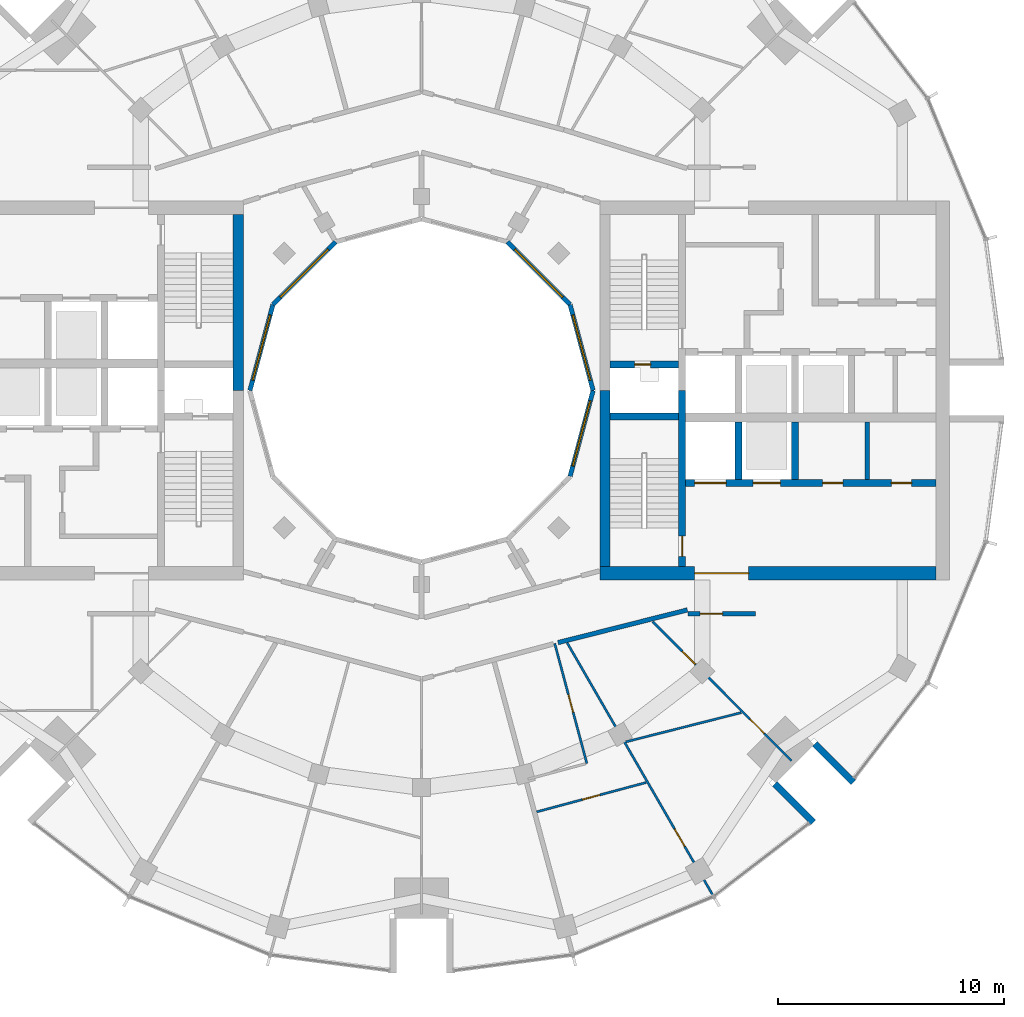
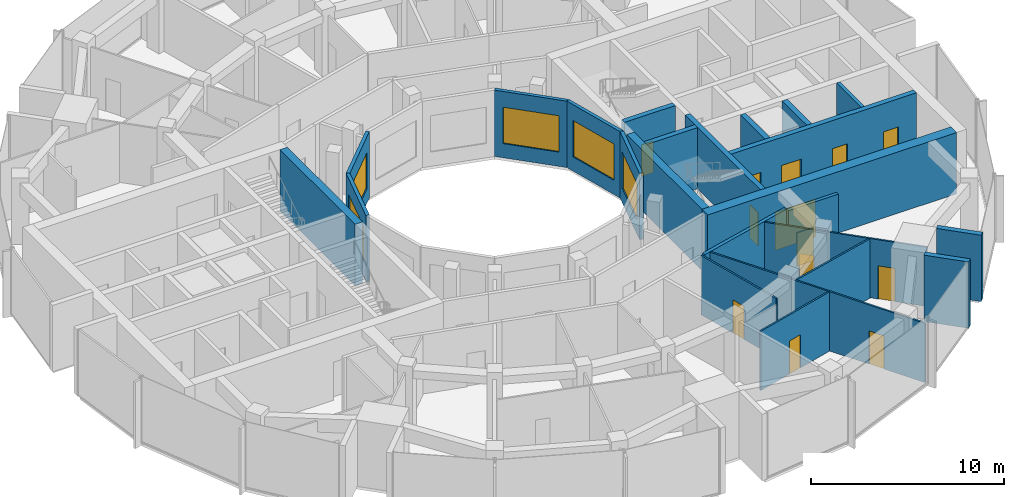
# One storey, part 10 of 15: 24 walls, 13 doors, 5 windows, 18 openings.
"""IFC4 building model written with IfcOpenShell, lengths in metres."""

from ifc_helpers import new_model, si_unit, direction, frame, frame_2d, origin, place, context, subcontext, project, spatial, rectangle, extrude, material, layer, layer_set, type_object, element, fill, save


model = new_model("IFC4")

# Units and contexts
model_context = context("Model", 3, precision=1e-05, world=origin(), true_north=direction((0.0, 1.0)))
body_context = subcontext(model_context, "Body", "Model", "MODEL_VIEW")
ifc_project = project(units=[si_unit("LENGTHUNIT", "METRE"), si_unit("AREAUNIT", "SQUARE_METRE"), si_unit("VOLUMEUNIT", "CUBIC_METRE"), si_unit("PLANEANGLEUNIT", "RADIAN"), si_unit("MASSUNIT", "GRAM", prefix="KILO")], contexts=[model_context])

# Site, building, storey
site_placement = place(None, origin())
site = spatial("IfcSite", under=ifc_project, at=site_placement, CompositionType="ELEMENT")
building_placement = place(site_placement, origin())
building = spatial("IfcBuilding", under=site, at=building_placement, Name="Torre Brocal", CompositionType="ELEMENT")
storey_placement = place(building_placement, frame((0.0, 0.0, 245.699951171875)))
storey = spatial("IfcBuildingStorey", under=building, at=storey_placement, Name="L56", CompositionType="ELEMENT", Elevation=245.699951171875)

# Wall
ifc_material_1 = material(Name="Masonry block", Category="masonry")
ifc_layer_1 = layer(ifc_material_1, 0.199951171875)
ifc_layer_set_1 = layer_set([ifc_layer_1], Name="Masonry block")
wall_type_1 = type_object("IfcWallType", Name="CORE PARTITION 200", PredefinedType="PARTITIONING", material=ifc_layer_set_1)
wall_1_placement = place(storey_placement, frame((99.75, 71.050048828125, 0.0), z_axis=(0.0, 0.0, 1.0), x_axis=(0.0, 1.0, 0.0)))
element("IfcWall", 1, at=wall_1_placement, inside=storey, type_object=wall_type_1, Name="Wall CP200", PredefinedType="PARTITIONING", context=body_context, shape_type="SweptSolid", body=[
    extrude(rectangle(XDim=2.550048828125, YDim=0.199951171875, at=frame_2d((1.27490234375, 0.0))), origin(), (0.0, 0.0, 1.0), 3.880126953125),
])

# Wall, opening, door
ifc_material_2 = material(Name="Concrete C60", Category="concrete")
ifc_layer_2 = layer(ifc_material_2, 0.300048828125)
ifc_layer_set_2 = layer_set([ifc_layer_2], Name="Concrete C60")
wall_type_2 = type_object("IfcWallType", Name="CORE WALL 300 C60", PredefinedType="SHEAR", material=ifc_layer_set_2)
wall_2_placement = place(storey_placement, frame((91.550048828125, 67.199951171875, 0.0), z_axis=(0.0, 0.0, 1.0), x_axis=(0.0, 1.0, 0.0)))
wall_2 = element("IfcWall", 2, at=wall_2_placement, inside=storey, type_object=wall_type_2, Name="Wall CW300-60", PredefinedType="SHEAR", context=body_context, shape_type="SweptSolid", body=[
    extrude(rectangle(XDim=7.800048828125, YDim=0.300048828125, at=frame_2d((3.89990234375, 0.0))), origin(), (0.0, 0.0, 1.0), 3.880126953125),
])
opening_1_placement = place(wall_2_placement, frame((0.449951171875, 0.0, 0.0)))
opening_1 = element("IfcOpeningElement", 3, at=opening_1_placement, cuts=wall_2, Name="Opening E-D03", PredefinedType="OPENING", context=body_context, shape_type="SweptSolid", body=[
    extrude(rectangle(XDim=0.89990234375, YDim=2.10009765625, at=frame_2d((0.449951171875, 1.050048828125))), frame((0.0, 0.159912109375, 0.0), z_axis=(0.0, -1.0, 0.0), x_axis=(1.0, 0.0, 0.0)), (0.0, 0.0, 1.0), 0.320068359375),
])
ifc_material_3 = material(Name="Steel A653", Category="steel")
door_type_1 = type_object("IfcDoorType", Name="STAIR DOOR FD120 900X2100", OperationType="SINGLE_SWING_RIGHT", PredefinedType="DOOR", material=ifc_material_3)
door_1_placement = place(opening_1_placement, origin())
door_1 = element("IfcDoor", 4, at=door_1_placement, inside=storey, type_object=door_type_1, Name="Door E-D03", OperationType="SINGLE_SWING_LEFT", OverallHeight=2.10009765625, OverallWidth=0.89990234375, PredefinedType="DOOR", context=body_context, shape_type="SweptSolid", body=[
    extrude(rectangle(XDim=0.89990234375, YDim=2.10009765625, at=frame_2d((0.449951171875, 1.050048828125))), frame((0.0, 0.02490234375, 0.0), z_axis=(0.0, -1.0, 0.0), x_axis=(1.0, 0.0, 0.0)), (0.0, 0.0, 1.0), 0.050048828125),
])
fill(opening_1, door_1)

wall_3_placement = place(storey_placement, frame((88.35009765625, 76.14990234375, 0.0), z_axis=(0.0, 0.0, 1.0), x_axis=(1.0, 0.0, 0.0)))
wall_3 = element("IfcWall", 5, at=wall_3_placement, inside=storey, type_object=wall_type_2, Name="Wall CW300-60", PredefinedType="SHEAR", context=body_context, shape_type="SweptSolid", body=[
    extrude(rectangle(XDim=3.0498046875, YDim=0.300048828125, at=frame_2d((1.52490234375, 0.0))), origin(), (0.0, 0.0, 1.0), 3.880126953125),
])
opening_2_placement = place(wall_3_placement, frame((1.10009765625, 0.0, 0.0)))
opening_2 = element("IfcOpeningElement", 6, at=opening_2_placement, cuts=wall_3, Name="Opening E-D01", PredefinedType="OPENING", context=body_context, shape_type="SweptSolid", body=[
    extrude(rectangle(XDim=0.699951171875, YDim=2.0, at=frame_2d((0.35009765625, 1.0))), frame((0.0, 0.159912109375, 0.0), z_axis=(0.0, -1.0, 0.0), x_axis=(1.0, 0.0, 0.0)), (0.0, 0.0, 1.0), 0.320068359375),
])
ifc_material_4 = material(Name="Steel A653", Category="steel")
door_type_2 = type_object("IfcDoorType", Name="RISER DOOR FD120 700X2000", OperationType="SINGLE_SWING_LEFT", PredefinedType="DOOR", material=ifc_material_4)
door_2_placement = place(opening_2_placement, frame((0.699951171875, 0.0, 0.0), z_axis=(0.0, 0.0, 1.0), x_axis=(-1.0, 0.0, 0.0)))
door_2 = element("IfcDoor", 7, at=door_2_placement, inside=storey, type_object=door_type_2, Name="Door E-D01", OperationType="SINGLE_SWING_RIGHT", OverallHeight=2.0, OverallWidth=0.699951171875, PredefinedType="DOOR", context=body_context, shape_type="SweptSolid", body=[
    extrude(rectangle(XDim=0.699951171875, YDim=2.0, at=frame_2d((0.35009765625, 1.0))), frame((0.0, 0.02490234375, 0.0), z_axis=(0.0, -1.0, 0.0), x_axis=(1.0, 0.0, 0.0)), (0.0, 0.0, 1.0), 0.050048828125),
])
fill(opening_2, door_2)

# Wall
wall_4_placement = place(storey_placement, frame((88.35009765625, 73.85009765625, 0.0), z_axis=(0.0, 0.0, 1.0), x_axis=(1.0, 0.0, 0.0)))
element("IfcWall", 8, at=wall_4_placement, inside=storey, type_object=wall_type_2, Name="Wall CW300-60", PredefinedType="SHEAR", context=body_context, shape_type="SweptSolid", body=[
    extrude(rectangle(XDim=3.0498046875, YDim=0.300048828125, at=frame_2d((1.52490234375, 0.0))), origin(), (0.0, 0.0, 1.0), 3.880126953125),
])

# Wall, openings, doors
wall_5_placement = place(storey_placement, frame((91.699951171875, 70.89990234375, 0.0), z_axis=(0.0, 0.0, 1.0), x_axis=(1.0, 0.0, 0.0)))
wall_5 = element("IfcWall", 9, at=wall_5_placement, inside=storey, type_object=wall_type_2, Name="Wall CW300-60", PredefinedType="SHEAR", context=body_context, shape_type="SweptSolid", body=[
    extrude(rectangle(XDim=11.10009765625, YDim=0.300048828125, at=frame_2d((5.550048828125, 0.0))), origin(), (0.0, 0.0, 1.0), 3.880126953125),
])
opening_3_placement = place(wall_5_placement, frame((0.39990234375, 0.0, 0.0)))
opening_3 = element("IfcOpeningElement", 10, at=opening_3_placement, cuts=wall_5, Name="Opening LD14", PredefinedType="OPENING", context=body_context, shape_type="SweptSolid", body=[
    extrude(rectangle(XDim=1.39990234375, YDim=2.10009765625, at=frame_2d((0.699951171875, 1.050048828125))), frame((0.0, 0.159912109375, 0.0), z_axis=(0.0, -1.0, 0.0), x_axis=(1.0, 0.0, 0.0)), (0.0, 0.0, 1.0), 0.320068359375),
])
opening_4_placement = place(wall_5_placement, frame((3.0, 0.0, 0.0)))
opening_4 = element("IfcOpeningElement", 11, at=opening_4_placement, cuts=wall_5, Name="Opening LD12", PredefinedType="OPENING", context=body_context, shape_type="SweptSolid", body=[
    extrude(rectangle(XDim=1.199951171875, YDim=2.10009765625, at=frame_2d((0.60009765625, 1.050048828125))), frame((0.0, 0.159912109375, 0.0), z_axis=(0.0, -1.0, 0.0), x_axis=(1.0, 0.0, 0.0)), (0.0, 0.0, 1.0), 0.320068359375),
])
opening_5_placement = place(wall_5_placement, frame((6.074951171875, 0.0, 0.0)))
opening_5 = element("IfcOpeningElement", 12, at=opening_5_placement, cuts=wall_5, Name="Opening E-D06", PredefinedType="OPENING", context=body_context, shape_type="SweptSolid", body=[
    extrude(rectangle(XDim=0.89990234375, YDim=2.10009765625, at=frame_2d((0.449951171875, 1.050048828125))), frame((0.0, 0.159912109375, 0.0), z_axis=(0.0, -1.0, 0.0), x_axis=(1.0, 0.0, 0.0)), (0.0, 0.0, 1.0), 0.320068359375),
])
opening_6_placement = place(wall_5_placement, frame((9.125, 0.0, 0.0)))
opening_6 = element("IfcOpeningElement", 13, at=opening_6_placement, cuts=wall_5, Name="Opening E-D07", PredefinedType="OPENING", context=body_context, shape_type="SweptSolid", body=[
    extrude(rectangle(XDim=0.89990234375, YDim=2.10009765625, at=frame_2d((0.449951171875, 1.050048828125))), frame((0.0, 0.159912109375, 0.0), z_axis=(0.0, -1.0, 0.0), x_axis=(1.0, 0.0, 0.0)), (0.0, 0.0, 1.0), 0.320068359375),
])
ifc_material_5 = material(Name="Stainless steel AISI 316", Category="steel")
door_type_3 = type_object("IfcDoorType", Name="LIFT LANDING DOOR 1200X2100", OperationType="DOUBLE_DOOR_SLIDING", PredefinedType="DOOR", material=ifc_material_5)
door_3_placement = place(opening_4_placement, origin())
door_3 = element("IfcDoor", 14, at=door_3_placement, inside=storey, type_object=door_type_3, Name="Door LD12", OperationType="DOUBLE_DOOR_SLIDING", OverallHeight=2.10009765625, OverallWidth=1.199951171875, PredefinedType="DOOR", context=body_context, shape_type="SweptSolid", body=[
    extrude(rectangle(XDim=1.199951171875, YDim=2.10009765625, at=frame_2d((0.60009765625, 1.050048828125))), frame((0.0, 0.02490234375, 0.0), z_axis=(0.0, -1.0, 0.0), x_axis=(1.0, 0.0, 0.0)), (0.0, 0.0, 1.0), 0.050048828125),
])
fill(opening_4, door_3)
ifc_material_6 = material(Name="Stainless steel AISI 316", Category="steel")
door_type_4 = type_object("IfcDoorType", Name="LIFT LANDING DOOR 1400X2100", OperationType="DOUBLE_DOOR_SLIDING", PredefinedType="DOOR", material=ifc_material_6)
door_4_placement = place(opening_3_placement, origin())
door_4 = element("IfcDoor", 15, at=door_4_placement, inside=storey, type_object=door_type_4, Name="Door LD14", OperationType="DOUBLE_DOOR_SLIDING", OverallHeight=2.10009765625, OverallWidth=1.39990234375, PredefinedType="DOOR", context=body_context, shape_type="SweptSolid", body=[
    extrude(rectangle(XDim=1.39990234375, YDim=2.10009765625, at=frame_2d((0.699951171875, 1.050048828125))), frame((0.0, 0.02490234375, 0.0), z_axis=(0.0, -1.0, 0.0), x_axis=(1.0, 0.0, 0.0)), (0.0, 0.0, 1.0), 0.050048828125),
])
fill(opening_3, door_4)
ifc_material_7 = material(Name="Steel A653", Category="steel")
door_type_5 = type_object("IfcDoorType", Name="ROOM DOOR FD30S 900X2100", OperationType="SINGLE_SWING_LEFT", PredefinedType="DOOR", material=ifc_material_7)
door_5_placement = place(opening_5_placement, origin())
door_5 = element("IfcDoor", 16, at=door_5_placement, inside=storey, type_object=door_type_5, Name="Door E-D06", OperationType="SINGLE_SWING_RIGHT", OverallHeight=2.10009765625, OverallWidth=0.89990234375, PredefinedType="DOOR", context=body_context, shape_type="SweptSolid", body=[
    extrude(rectangle(XDim=0.89990234375, YDim=2.10009765625, at=frame_2d((0.449951171875, 1.050048828125))), frame((0.0, 0.02490234375, 0.0), z_axis=(0.0, -1.0, 0.0), x_axis=(1.0, 0.0, 0.0)), (0.0, 0.0, 1.0), 0.050048828125),
])
fill(opening_5, door_5)
door_6_placement = place(opening_6_placement, origin())
door_6 = element("IfcDoor", 17, at=door_6_placement, inside=storey, type_object=door_type_5, Name="Door E-D07", OperationType="SINGLE_SWING_LEFT", OverallHeight=2.10009765625, OverallWidth=0.89990234375, PredefinedType="DOOR", context=body_context, shape_type="SweptSolid", body=[
    extrude(rectangle(XDim=0.89990234375, YDim=2.10009765625, at=frame_2d((0.449951171875, 1.050048828125))), frame((0.0, 0.02490234375, 0.0), z_axis=(0.0, -1.0, 0.0), x_axis=(1.0, 0.0, 0.0)), (0.0, 0.0, 1.0), 0.050048828125),
])
fill(opening_6, door_6)

# Walls
for number, where, z_axis, x_axis, name in (
    (18, (94.050048828125, 71.050048828125, 0.0), (0.0, 0.0, 1.0), (0.0, 1.0, 0.0), "Wall CW300-60"),
    (19, (96.550048828125, 71.050048828125, 0.0), (0.0, 0.0, 1.0), (0.0, 1.0, 0.0), "Wall CW300-60"),
):
    element("IfcWall", number, at=place(storey_placement, frame(where, z_axis=z_axis, x_axis=x_axis)), inside=storey, type_object=wall_type_2, Name=name, PredefinedType="SHEAR", context=body_context, shape_type="SweptSolid", body=[
        extrude(rectangle(XDim=2.550048828125, YDim=0.300048828125, at=frame_2d((1.27490234375, 0.0))), origin(), (0.0, 0.0, 1.0), 3.880126953125),
    ])
ifc_material_8 = material(Name="Concrete C60", Category="concrete")
ifc_layer_3 = layer(ifc_material_8, 0.449951171875)
ifc_layer_set_3 = layer_set([ifc_layer_3], Name="Concrete C60")
wall_type_3 = type_object("IfcWallType", Name="CORE WALL 450 C60", PredefinedType="SHEAR", material=ifc_layer_set_3)
for number, where, z_axis, x_axis, name in (
    (20, (88.125, 67.199951171875, 0.0), (0.0, 0.0, 1.0), (0.0, 1.0, 0.0), "Wall CW450-60"),
    (21, (71.875, 82.800048828125, 0.0), (0.0, 0.0, 1.0), (0.0, -1.0, 0.0), "Wall CW450-60"),
):
    element("IfcWall", number, at=place(storey_placement, frame(where, z_axis=z_axis, x_axis=x_axis)), inside=storey, type_object=wall_type_3, Name=name, PredefinedType="SHEAR", context=body_context, shape_type="SweptSolid", body=[
        extrude(rectangle(XDim=7.800048828125, YDim=0.449951171875, at=frame_2d((3.89990234375, 0.0))), origin(), (0.0, 0.0, 1.0), 3.880126953125),
    ])

# Wall, opening, door
ifc_material_9 = material(Name="Concrete C60", Category="concrete")
ifc_layer_4 = layer(ifc_material_9, 0.60009765625)
ifc_layer_set_4 = layer_set([ifc_layer_4], Name="Concrete C60")
wall_type_4 = type_object("IfcWallType", Name="CORE WALL 600 C60", PredefinedType="SHEAR", material=ifc_layer_set_4)
wall_6_placement = place(storey_placement, frame((87.89990234375, 66.89990234375, 0.0), z_axis=(0.0, 0.0, 1.0), x_axis=(1.0, 0.0, 0.0)))
wall_6 = element("IfcWall", 22, at=wall_6_placement, inside=storey, type_object=wall_type_4, Name="Wall CW600-60", PredefinedType="SHEAR", context=body_context, shape_type="SweptSolid", body=[
    extrude(rectangle(XDim=14.900146484375, YDim=0.60009765625, at=frame_2d((7.4501953125, 0.0))), origin(), (0.0, 0.0, 1.0), 3.880126953125),
])
opening_7_placement = place(wall_6_placement, frame((4.199951171875, 0.0, 0.0)))
opening_7 = element("IfcOpeningElement", 23, at=opening_7_placement, cuts=wall_6, Name="Opening E-D12", PredefinedType="OPENING", context=body_context, shape_type="SweptSolid", body=[
    extrude(rectangle(XDim=2.39990234375, YDim=2.39990234375, at=frame_2d((1.199951171875, 1.199951171875))), frame((0.0, 0.31005859375, 0.0), z_axis=(0.0, -1.0, 0.0), x_axis=(1.0, 0.0, 0.0)), (0.0, 0.0, 1.0), 0.6201171875),
])
ifc_material_10 = material(Name="Steel A653", Category="steel")
door_type_6 = type_object("IfcDoorType", Name="DOUBLE FIRE DOOR FD90 2400X2400", OperationType="DOUBLE_DOOR_SINGLE_SWING", PredefinedType="DOOR", material=ifc_material_10)
door_7_placement = place(opening_7_placement, origin())
door_7 = element("IfcDoor", 24, at=door_7_placement, inside=storey, type_object=door_type_6, Name="Door E-D12", OperationType="DOUBLE_DOOR_SINGLE_SWING", OverallHeight=2.39990234375, OverallWidth=2.39990234375, PredefinedType="DOOR", context=body_context, shape_type="SweptSolid", body=[
    extrude(rectangle(XDim=2.39990234375, YDim=2.39990234375, at=frame_2d((1.199951171875, 1.199951171875))), frame((0.0, 0.02490234375, 0.0), z_axis=(0.0, -1.0, 0.0), x_axis=(1.0, 0.0, 0.0)), (0.0, 0.0, 1.0), 0.050048828125),
])
fill(opening_7, door_7)

# Walls
ifc_material_11 = material(Name="Concrete C60", Category="concrete")
ifc_layer_5 = layer(ifc_material_11, 0.300048828125)
ifc_layer_set_5 = layer_set([ifc_layer_5], Name="Concrete C60")
wall_type_5 = type_object("IfcWallType", Name="NOTCH RETURN WALL 300 C60", PredefinedType="NOTDEFINED", material=ifc_layer_set_5)
for number, where, z_axis, x_axis, name in (
    (25, (95.662353515625, 57.56982421875, 0.0), (0.0, 0.0, 1.0), (0.707106781187, -0.707106781187, 0.0), "NOTCH RETURN WALL"),
    (26, (97.43017578125, 59.337646484375, 0.0), (0.0, 0.0, 1.0), (0.707106781187, -0.707106781187, 0.0), "NOTCH RETURN WALL"),
):
    element("IfcWall", number, at=place(storey_placement, frame(where, z_axis=z_axis, x_axis=x_axis)), inside=storey, type_object=wall_type_5, Name=name, PredefinedType="NOTDEFINED", context=body_context, shape_type="SweptSolid", body=[
        extrude(rectangle(XDim=2.415771484375, YDim=0.300048828125, at=frame_2d((1.2080078125, 0.0))), origin(), (0.0, 0.0, 1.0), 4.199951171875),
    ])

# Wall, opening, door
ifc_material_12 = material(Name="Gypsum board", Category="Gypsum")
ifc_layer_6 = layer(ifc_material_12, 0.10009765625)
ifc_layer_set_6 = layer_set([ifc_layer_6], Name="Gypsum board")
wall_type_6 = type_object("IfcWallType", Name="PARTITION 100", PredefinedType="PARTITIONING", material=ifc_layer_set_6)
wall_7_placement = place(storey_placement, frame((85.107666015625, 56.325927734375, 0.0), z_axis=(0.0, 0.0, 1.0), x_axis=(0.965911122806, 0.258873913014, 0.0)))
wall_7 = element("IfcWall", 27, at=wall_7_placement, inside=storey, type_object=wall_type_6, Name="BATHROOM WALL", PredefinedType="PARTITIONING", context=body_context, shape_type="SweptSolid", body=[
    extrude(rectangle(XDim=5.017333984375, YDim=0.10009765625, at=frame_2d((2.5087890625, 0.0))), origin(), (0.0, 0.0, 1.0), 3.75),
])
opening_8_placement = place(wall_7_placement, frame((2.093994140625, 0.0, 0.0)))
opening_8 = element("IfcOpeningElement", 28, at=opening_8_placement, cuts=wall_7, Name="Opening B03-D26", PredefinedType="OPENING", context=body_context, shape_type="SweptSolid", body=[
    extrude(rectangle(XDim=0.800048828125, YDim=2.10009765625, at=frame_2d((0.39990234375, 1.050048828125))), frame((0.0, 0.06005859375, 0.0), z_axis=(0.0, -1.0, 0.0), x_axis=(1.0, 0.0, 0.0)), (0.0, 0.0, 1.0), 0.1201171875),
])
ifc_material_13 = material(Name="Timber", Category="wood")
door_type_7 = type_object("IfcDoorType", Name="BATHROOM DOOR 800X2100", OperationType="SINGLE_SWING_LEFT", PredefinedType="DOOR", material=ifc_material_13)
door_8_placement = place(opening_8_placement, frame((0.800048828125, 0.0, 0.0), z_axis=(0.0, 0.0, 1.0), x_axis=(-1.0, 0.0, 0.0)))
door_8 = element("IfcDoor", 29, at=door_8_placement, inside=storey, type_object=door_type_7, Name="B03-D26", OperationType="SINGLE_SWING_RIGHT", OverallHeight=2.10009765625, OverallWidth=0.800048828125, PredefinedType="DOOR", context=body_context, shape_type="SweptSolid", body=[
    extrude(rectangle(XDim=0.800048828125, YDim=2.10009765625, at=frame_2d((0.39990234375, 1.050048828125))), frame((0.0, 0.02490234375, 0.0), z_axis=(0.0, -1.0, 0.0), x_axis=(1.0, 0.0, 0.0)), (0.0, 0.0, 1.0), 0.050048828125),
])
fill(opening_8, door_8)

wall_8_placement = place(storey_placement, frame((85.904052734375, 63.785888671875, 0.0), z_axis=(0.0, 0.0, 1.0), x_axis=(0.258855888267, -0.96591595344, 0.0)))
wall_8 = element("IfcWall", 30, at=wall_8_placement, inside=storey, type_object=wall_type_6, Name="BATHROOM WALL", PredefinedType="PARTITIONING", context=body_context, shape_type="SweptSolid", body=[
    extrude(rectangle(XDim=5.50048828125, YDim=0.10009765625, at=frame_2d((2.750244140625, 0.0))), origin(), (0.0, 0.0, 1.0), 3.75),
])
opening_9_placement = place(wall_8_placement, frame((2.350341796875, 0.0, 0.0)))
opening_9 = element("IfcOpeningElement", 31, at=opening_9_placement, cuts=wall_8, Name="Opening B03-D25", PredefinedType="OPENING", context=body_context, shape_type="SweptSolid", body=[
    extrude(rectangle(XDim=0.800048828125, YDim=2.10009765625, at=frame_2d((0.39990234375, 1.050048828125))), frame((0.0, 0.06005859375, 0.0), z_axis=(0.0, -1.0, 0.0), x_axis=(1.0, 0.0, 0.0)), (0.0, 0.0, 1.0), 0.1201171875),
])
door_9_placement = place(opening_9_placement, frame((0.800048828125, 0.0, 0.0), z_axis=(0.0, 0.0, 1.0), x_axis=(-1.0, 0.0, 0.0)))
door_9 = element("IfcDoor", 32, at=door_9_placement, inside=storey, type_object=door_type_7, Name="B03-D25", OperationType="SINGLE_SWING_LEFT", OverallHeight=2.10009765625, OverallWidth=0.800048828125, PredefinedType="DOOR", context=body_context, shape_type="SweptSolid", body=[
    extrude(rectangle(XDim=0.800048828125, YDim=2.10009765625, at=frame_2d((0.39990234375, 1.050048828125))), frame((0.0, 0.02490234375, 0.0), z_axis=(0.0, -1.0, 0.0), x_axis=(1.0, 0.0, 0.0)), (0.0, 0.0, 1.0), 0.050048828125),
])
fill(opening_9, door_9)

wall_9_placement = place(storey_placement, frame((86.454345703125, 63.81787109375, 0.0), z_axis=(0.0, 0.0, 1.0), x_axis=(0.499914882008, -0.866074541103, 0.0)))
wall_9 = element("IfcWall", 33, at=wall_9_placement, inside=storey, type_object=wall_type_6, Name="BATHROOM WALL", PredefinedType="PARTITIONING", context=body_context, shape_type="SweptSolid", body=[
    extrude(rectangle(XDim=12.886474609375, YDim=0.10009765625, at=frame_2d((6.443359375, 0.0))), origin(), (0.0, 0.0, 1.0), 3.75),
])
opening_10_placement = place(wall_9_placement, frame((9.523681640625, 0.0, 0.0)))
opening_10 = element("IfcOpeningElement", 34, at=opening_10_placement, cuts=wall_9, Name="Opening B03-D24", PredefinedType="OPENING", context=body_context, shape_type="SweptSolid", body=[
    extrude(rectangle(XDim=0.89990234375, YDim=2.10009765625, at=frame_2d((0.449951171875, 1.050048828125))), frame((0.0, 0.06005859375, 0.0), z_axis=(0.0, -1.0, 0.0), x_axis=(1.0, 0.0, 0.0)), (0.0, 0.0, 1.0), 0.1201171875),
])
ifc_material_14 = material(Name="Timber", Category="wood")
door_type_8 = type_object("IfcDoorType", Name="ROOM DOOR 900X2100", OperationType="SINGLE_SWING_LEFT", PredefinedType="DOOR", material=ifc_material_14)
door_10_placement = place(opening_10_placement, origin())
door_10 = element("IfcDoor", 35, at=door_10_placement, inside=storey, type_object=door_type_8, Name="B03-D24", OperationType="SINGLE_SWING_RIGHT", OverallHeight=2.10009765625, OverallWidth=0.89990234375, PredefinedType="DOOR", context=body_context, shape_type="SweptSolid", body=[
    extrude(rectangle(XDim=0.89990234375, YDim=2.10009765625, at=frame_2d((0.449951171875, 1.050048828125))), frame((0.0, 0.02490234375, 0.0), z_axis=(0.0, -1.0, 0.0), x_axis=(1.0, 0.0, 0.0)), (0.0, 0.0, 1.0), 0.050048828125),
])
fill(opening_10, door_10)

# Wall
wall_10_placement = place(storey_placement, frame((89.0576171875, 59.4287109375, 0.0), z_axis=(0.0, 0.0, 1.0), x_axis=(0.96946321375, 0.2452367778, 0.0)))
element("IfcWall", 36, at=wall_10_placement, inside=storey, type_object=wall_type_6, Name="BATHROOM WALL", PredefinedType="PARTITIONING", context=body_context, shape_type="SweptSolid", body=[
    extrude(rectangle(XDim=5.272216796875, YDim=0.10009765625, at=frame_2d((2.63623046875, 0.0))), origin(), (0.0, 0.0, 1.0), 3.75),
])

# Wall, openings, doors
wall_11_placement = place(storey_placement, frame((90.237060546875, 64.759033203125, 0.0), z_axis=(0.0, 0.0, 1.0), x_axis=(0.706952774706, -0.707260754132, 0.0)))
wall_11 = element("IfcWall", 37, at=wall_11_placement, inside=storey, type_object=wall_type_6, Name="BATHROOM WALL", PredefinedType="PARTITIONING", context=body_context, shape_type="SweptSolid", body=[
    extrude(rectangle(XDim=8.719970703125, YDim=0.10009765625, at=frame_2d((4.35986328125, 0.0))), origin(), (0.0, 0.0, 1.0), 3.75),
])
opening_11_placement = place(wall_11_placement, frame((6.114013671875, 0.0, 0.0)))
opening_11 = element("IfcOpeningElement", 38, at=opening_11_placement, cuts=wall_11, Name="Opening B03-D22", PredefinedType="OPENING", context=body_context, shape_type="SweptSolid", body=[
    extrude(rectangle(XDim=0.89990234375, YDim=2.10009765625, at=frame_2d((0.449951171875, 1.050048828125))), frame((0.0, 0.06005859375, 0.0), z_axis=(0.0, -1.0, 0.0), x_axis=(1.0, 0.0, 0.0)), (0.0, 0.0, 1.0), 0.1201171875),
])
opening_12_placement = place(wall_11_placement, frame((1.872314453125, 0.0, 0.0)))
opening_12 = element("IfcOpeningElement", 39, at=opening_12_placement, cuts=wall_11, Name="Opening B03-D23", PredefinedType="OPENING", context=body_context, shape_type="SweptSolid", body=[
    extrude(rectangle(XDim=0.800048828125, YDim=2.10009765625, at=frame_2d((0.39990234375, 1.050048828125))), frame((0.0, 0.06005859375, 0.0), z_axis=(0.0, -1.0, 0.0), x_axis=(1.0, 0.0, 0.0)), (0.0, 0.0, 1.0), 0.1201171875),
])
door_11_placement = place(opening_12_placement, frame((0.800048828125, 0.0, 0.0), z_axis=(0.0, 0.0, 1.0), x_axis=(-1.0, 0.0, 0.0)))
door_11 = element("IfcDoor", 40, at=door_11_placement, inside=storey, type_object=door_type_7, Name="B03-D23", OperationType="SINGLE_SWING_RIGHT", OverallHeight=2.10009765625, OverallWidth=0.800048828125, PredefinedType="DOOR", context=body_context, shape_type="SweptSolid", body=[
    extrude(rectangle(XDim=0.800048828125, YDim=2.10009765625, at=frame_2d((0.39990234375, 1.050048828125))), frame((0.0, 0.02490234375, 0.0), z_axis=(0.0, -1.0, 0.0), x_axis=(1.0, 0.0, 0.0)), (0.0, 0.0, 1.0), 0.050048828125),
])
fill(opening_12, door_11)
door_12_placement = place(opening_11_placement, origin())
door_12 = element("IfcDoor", 41, at=door_12_placement, inside=storey, type_object=door_type_8, Name="B03-D22", OperationType="SINGLE_SWING_RIGHT", OverallHeight=2.10009765625, OverallWidth=0.89990234375, PredefinedType="DOOR", context=body_context, shape_type="SweptSolid", body=[
    extrude(rectangle(XDim=0.89990234375, YDim=2.10009765625, at=frame_2d((0.449951171875, 1.050048828125))), frame((0.0, 0.02490234375, 0.0), z_axis=(0.0, -1.0, 0.0), x_axis=(1.0, 0.0, 0.0)), (0.0, 0.0, 1.0), 0.050048828125),
])
fill(opening_11, door_12)

# Wall
ifc_material_15 = material(Name="Gypsum board", Category="Gypsum")
ifc_layer_7 = layer(ifc_material_15, 0.199951171875)
ifc_layer_set_7 = layer_set([ifc_layer_7], Name="Gypsum board")
wall_type_7 = type_object("IfcWallType", Name="PARTITION 200 EI60", PredefinedType="PARTITIONING", material=ifc_layer_set_7)
wall_12_placement = place(storey_placement, frame((86.052978515625, 63.826171875, 0.0), z_axis=(0.0, 0.0, 1.0), x_axis=(0.969490004987, 0.245130843083, 0.0)))
element("IfcWall", 42, at=wall_12_placement, inside=storey, type_object=wall_type_7, Name="FLAT ENTRANCE WALL", PredefinedType="PARTITIONING", context=body_context, shape_type="SweptSolid", body=[
    extrude(rectangle(XDim=5.907958984375, YDim=0.199951171875, at=frame_2d((2.9541015625, 0.0))), origin(), (0.0, 0.0, 1.0), 3.75),
])

# Wall, opening, door
wall_13_placement = place(storey_placement, frame((91.800048828125, 65.10009765625, 0.0), z_axis=(0.0, 0.0, 1.0), x_axis=(1.0, 0.0, 0.0)))
wall_13 = element("IfcWall", 43, at=wall_13_placement, inside=storey, type_object=wall_type_7, Name="FLAT ENTRANCE WALL", PredefinedType="PARTITIONING", context=body_context, shape_type="SweptSolid", body=[
    extrude(rectangle(XDim=3.0, YDim=0.199951171875, at=frame_2d((1.5, 0.0))), origin(), (0.0, 0.0, 1.0), 3.75),
])
opening_13_placement = place(wall_13_placement, frame((0.550048828125, 0.0, 0.0)))
opening_13 = element("IfcOpeningElement", 44, at=opening_13_placement, cuts=wall_13, Name="Opening B03-D21", PredefinedType="OPENING", context=body_context, shape_type="SweptSolid", body=[
    extrude(rectangle(XDim=1.0, YDim=2.10009765625, at=frame_2d((0.5, 1.050048828125))), frame((0.0, 0.10986328125, 0.0), z_axis=(0.0, -1.0, 0.0), x_axis=(1.0, 0.0, 0.0)), (0.0, 0.0, 1.0), 0.219970703125),
])
ifc_material_16 = material(Name="Timber", Category="wood")
door_type_9 = type_object("IfcDoorType", Name="FLAT ENTRY DOOR FD30S 1000X2100", OperationType="SINGLE_SWING_RIGHT", PredefinedType="DOOR", material=ifc_material_16)
door_13_placement = place(opening_13_placement, frame((1.0, 0.0, 0.0), z_axis=(0.0, 0.0, 1.0), x_axis=(-1.0, 0.0, 0.0)))
door_13 = element("IfcDoor", 45, at=door_13_placement, inside=storey, type_object=door_type_9, Name="B03-D21", OperationType="SINGLE_SWING_RIGHT", OverallHeight=2.10009765625, OverallWidth=1.0, PredefinedType="DOOR", context=body_context, shape_type="SweptSolid", body=[
    extrude(rectangle(XDim=1.0, YDim=2.10009765625, at=frame_2d((0.5, 1.050048828125))), frame((0.0, 0.02490234375, 0.0), z_axis=(0.0, -1.0, 0.0), x_axis=(1.0, 0.0, 0.0)), (0.0, 0.0, 1.0), 0.050048828125),
])
fill(opening_13, door_13)

# Wall, opening, window
ifc_material_17 = material(Name="Concrete C40", Category="concrete")
ifc_layer_8 = layer(ifc_material_17, 0.199951171875)
ifc_layer_set_8 = layer_set([ifc_layer_8], Name="Concrete C40")
wall_type_8 = type_object("IfcWallType", Name="WELL FACADE WALL 200", PredefinedType="NOTDEFINED", material=ifc_layer_set_8)
wall_14_placement = place(storey_placement, frame((87.603515625, 75.0, 0.0), z_axis=(0.0, 0.0, 1.0), x_axis=(-0.258789828301, 0.965933654434, 0.0)))
wall_14 = element("IfcWall", 46, at=wall_14_placement, inside=storey, type_object=wall_type_8, Name="WELL FACADE WALL", PredefinedType="NOTDEFINED", context=body_context, shape_type="SweptSolid", body=[
    extrude(rectangle(XDim=3.935791015625, YDim=0.199951171875, at=frame_2d((1.9677734375, 0.0))), origin(), (0.0, 0.0, 1.0), 4.199951171875),
])
opening_14_placement = place(wall_14_placement, frame((0.468017578125, 0.0, 0.89990234375)))
opening_14 = element("IfcOpeningElement", 47, at=opening_14_placement, cuts=wall_14, Name="Opening W1", PredefinedType="OPENING", context=body_context, shape_type="SweptSolid", body=[
    extrude(rectangle(XDim=3.0, YDim=2.300048828125, at=frame_2d((1.5, 1.14990234375))), frame((0.0, 0.10986328125, 0.0), z_axis=(0.0, -1.0, 0.0), x_axis=(1.0, 0.0, 0.0)), (0.0, 0.0, 1.0), 0.219970703125),
])
ifc_material_18 = material(Name="Aluminium and glass", Category="aluminium")
window_type = type_object("IfcWindowType", Name="WELL WINDOW 3000X2300", PartitioningType="SINGLE_PANEL", PredefinedType="WINDOW", material=ifc_material_18)
window_1_placement = place(opening_14_placement, origin())
window_1 = element("IfcWindow", 48, at=window_1_placement, inside=storey, type_object=window_type, Name="WELL WINDOW 3000X2300", OverallHeight=2.300048828125, OverallWidth=3.0, PartitioningType="SINGLE_PANEL", PredefinedType="WINDOW", context=body_context, shape_type="SweptSolid", body=[
    extrude(rectangle(XDim=3.0, YDim=2.300048828125, at=frame_2d((1.5, 1.14990234375))), frame((0.0, 0.030029296875, 0.0), z_axis=(0.0, -1.0, 0.0), x_axis=(1.0, 0.0, 0.0)), (0.0, 0.0, 1.0), 0.06005859375),
])
fill(opening_14, window_1)

wall_15_placement = place(storey_placement, frame((86.5849609375, 78.8017578125, 0.0), z_axis=(0.0, 0.0, 1.0), x_axis=(-0.707106781187, 0.707106781187, 0.0)))
wall_15 = element("IfcWall", 49, at=wall_15_placement, inside=storey, type_object=wall_type_8, Name="WELL FACADE WALL", PredefinedType="NOTDEFINED", context=body_context, shape_type="SweptSolid", body=[
    extrude(rectangle(XDim=3.93603515625, YDim=0.199951171875, at=frame_2d((1.968017578125, 0.0))), origin(), (0.0, 0.0, 1.0), 4.199951171875),
])
opening_15_placement = place(wall_15_placement, frame((0.468017578125, 0.0, 0.89990234375)))
opening_15 = element("IfcOpeningElement", 50, at=opening_15_placement, cuts=wall_15, Name="Opening W1", PredefinedType="OPENING", context=body_context, shape_type="SweptSolid", body=[
    extrude(rectangle(XDim=3.0, YDim=2.300048828125, at=frame_2d((1.5, 1.14990234375))), frame((0.0, 0.10986328125, 0.0), z_axis=(0.0, -1.0, 0.0), x_axis=(1.0, 0.0, 0.0)), (0.0, 0.0, 1.0), 0.219970703125),
])
window_2_placement = place(opening_15_placement, origin())
window_2 = element("IfcWindow", 51, at=window_2_placement, inside=storey, type_object=window_type, Name="WELL WINDOW 3000X2300", OverallHeight=2.300048828125, OverallWidth=3.0, PartitioningType="SINGLE_PANEL", PredefinedType="WINDOW", context=body_context, shape_type="SweptSolid", body=[
    extrude(rectangle(XDim=3.0, YDim=2.300048828125, at=frame_2d((1.5, 1.14990234375))), frame((0.0, 0.030029296875, 0.0), z_axis=(0.0, -1.0, 0.0), x_axis=(1.0, 0.0, 0.0)), (0.0, 0.0, 1.0), 0.06005859375),
])
fill(opening_15, window_2)

wall_16_placement = place(storey_placement, frame((76.1982421875, 81.5849609375, 0.0), z_axis=(0.0, 0.0, 1.0), x_axis=(-0.707106781187, -0.707106781187, 0.0)))
wall_16 = element("IfcWall", 52, at=wall_16_placement, inside=storey, type_object=wall_type_8, Name="WELL FACADE WALL", PredefinedType="NOTDEFINED", context=body_context, shape_type="SweptSolid", body=[
    extrude(rectangle(XDim=3.93603515625, YDim=0.199951171875, at=frame_2d((1.968017578125, 0.0))), origin(), (0.0, 0.0, 1.0), 4.199951171875),
])
opening_16_placement = place(wall_16_placement, frame((0.468017578125, 0.0, 0.89990234375)))
opening_16 = element("IfcOpeningElement", 53, at=opening_16_placement, cuts=wall_16, Name="Opening W1", PredefinedType="OPENING", context=body_context, shape_type="SweptSolid", body=[
    extrude(rectangle(XDim=3.0, YDim=2.300048828125, at=frame_2d((1.5, 1.14990234375))), frame((0.0, 0.10986328125, 0.0), z_axis=(0.0, -1.0, 0.0), x_axis=(1.0, 0.0, 0.0)), (0.0, 0.0, 1.0), 0.219970703125),
])
window_3_placement = place(opening_16_placement, origin())
window_3 = element("IfcWindow", 54, at=window_3_placement, inside=storey, type_object=window_type, Name="WELL WINDOW 3000X2300", OverallHeight=2.300048828125, OverallWidth=3.0, PartitioningType="SINGLE_PANEL", PredefinedType="WINDOW", context=body_context, shape_type="SweptSolid", body=[
    extrude(rectangle(XDim=3.0, YDim=2.300048828125, at=frame_2d((1.5, 1.14990234375))), frame((0.0, 0.030029296875, 0.0), z_axis=(0.0, -1.0, 0.0), x_axis=(1.0, 0.0, 0.0)), (0.0, 0.0, 1.0), 0.06005859375),
])
fill(opening_16, window_3)

wall_17_placement = place(storey_placement, frame((73.4150390625, 78.8017578125, 0.0), z_axis=(0.0, 0.0, 1.0), x_axis=(-0.258789828301, -0.965933654434, 0.0)))
wall_17 = element("IfcWall", 55, at=wall_17_placement, inside=storey, type_object=wall_type_8, Name="WELL FACADE WALL", PredefinedType="NOTDEFINED", context=body_context, shape_type="SweptSolid", body=[
    extrude(rectangle(XDim=3.935791015625, YDim=0.199951171875, at=frame_2d((1.9677734375, 0.0))), origin(), (0.0, 0.0, 1.0), 4.199951171875),
])
opening_17_placement = place(wall_17_placement, frame((0.468017578125, 0.0, 0.89990234375)))
opening_17 = element("IfcOpeningElement", 56, at=opening_17_placement, cuts=wall_17, Name="Opening W1", PredefinedType="OPENING", context=body_context, shape_type="SweptSolid", body=[
    extrude(rectangle(XDim=3.0, YDim=2.300048828125, at=frame_2d((1.5, 1.14990234375))), frame((0.0, 0.10986328125, 0.0), z_axis=(0.0, -1.0, 0.0), x_axis=(1.0, 0.0, 0.0)), (0.0, 0.0, 1.0), 0.219970703125),
])
window_4_placement = place(opening_17_placement, origin())
window_4 = element("IfcWindow", 57, at=window_4_placement, inside=storey, type_object=window_type, Name="WELL WINDOW 3000X2300", OverallHeight=2.300048828125, OverallWidth=3.0, PartitioningType="SINGLE_PANEL", PredefinedType="WINDOW", context=body_context, shape_type="SweptSolid", body=[
    extrude(rectangle(XDim=3.0, YDim=2.300048828125, at=frame_2d((1.5, 1.14990234375))), frame((0.0, 0.030029296875, 0.0), z_axis=(0.0, -1.0, 0.0), x_axis=(1.0, 0.0, 0.0)), (0.0, 0.0, 1.0), 0.06005859375),
])
fill(opening_17, window_4)

wall_18_placement = place(storey_placement, frame((86.5849609375, 71.1982421875, 0.0), z_axis=(0.0, 0.0, 1.0), x_axis=(0.258789828301, 0.965933654434, 0.0)))
wall_18 = element("IfcWall", 58, at=wall_18_placement, inside=storey, type_object=wall_type_8, Name="WELL FACADE WALL", PredefinedType="NOTDEFINED", context=body_context, shape_type="SweptSolid", body=[
    extrude(rectangle(XDim=3.935791015625, YDim=0.199951171875, at=frame_2d((1.9677734375, 0.0))), origin(), (0.0, 0.0, 1.0), 4.199951171875),
])
opening_18_placement = place(wall_18_placement, frame((0.468017578125, 0.0, 0.89990234375)))
opening_18 = element("IfcOpeningElement", 59, at=opening_18_placement, cuts=wall_18, Name="Opening W1", PredefinedType="OPENING", context=body_context, shape_type="SweptSolid", body=[
    extrude(rectangle(XDim=3.0, YDim=2.300048828125, at=frame_2d((1.5, 1.14990234375))), frame((0.0, 0.10986328125, 0.0), z_axis=(0.0, -1.0, 0.0), x_axis=(1.0, 0.0, 0.0)), (0.0, 0.0, 1.0), 0.219970703125),
])
window_5_placement = place(opening_18_placement, origin())
window_5 = element("IfcWindow", 60, at=window_5_placement, inside=storey, type_object=window_type, Name="WELL WINDOW 3000X2300", OverallHeight=2.300048828125, OverallWidth=3.0, PartitioningType="SINGLE_PANEL", PredefinedType="WINDOW", context=body_context, shape_type="SweptSolid", body=[
    extrude(rectangle(XDim=3.0, YDim=2.300048828125, at=frame_2d((1.5, 1.14990234375))), frame((0.0, 0.030029296875, 0.0), z_axis=(0.0, -1.0, 0.0), x_axis=(1.0, 0.0, 0.0)), (0.0, 0.0, 1.0), 0.06005859375),
])
fill(opening_18, window_5)

save(model, "model.ifc")
